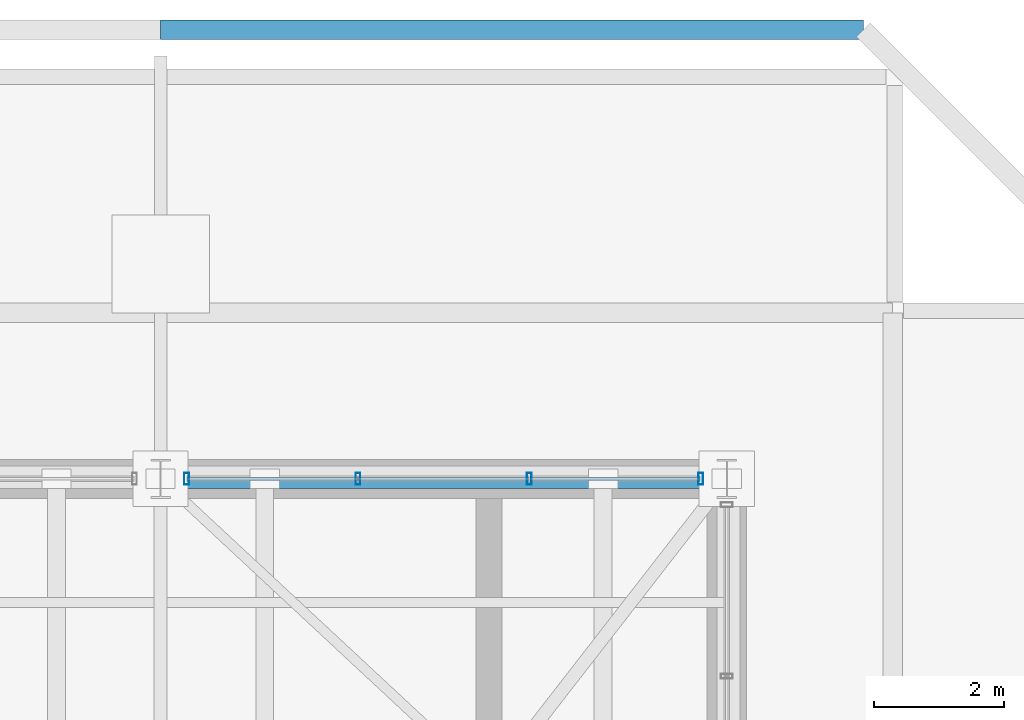
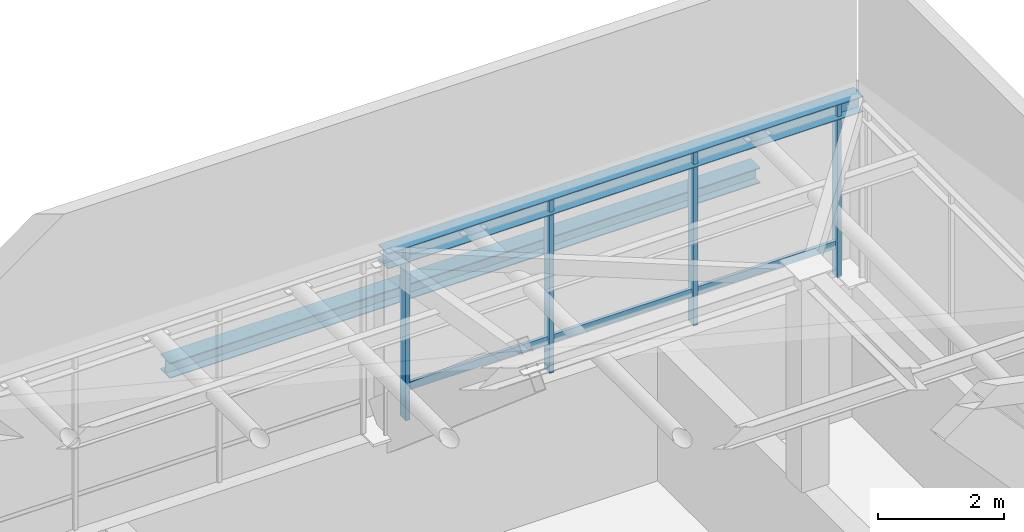
# One storey, part 19 of 22: 7 members, 2 beams, 1 element without a shape of its own.
"""IFC4 building model written with IfcOpenShell, lengths in metres."""

from ifc_helpers import new_model, si_unit, direction, frame, origin, origin_2d, place, context, subcontext, project, spatial, hollow_rectangle, i_section, extrude, material, layer, layer_set, material_profile, profile_set, type_object, element, aggregate, save


model = new_model("IFC4")

# Units and contexts
model_context = context("Model", 3, precision=1e-05, world=origin(), true_north=direction((0.0, 1.0)))
body_context = subcontext(model_context, "Body", "Model", "MODEL_VIEW")
ifc_project = project(units=[si_unit("LENGTHUNIT", "METRE"), si_unit("AREAUNIT", "SQUARE_METRE"), si_unit("VOLUMEUNIT", "CUBIC_METRE"), si_unit("PLANEANGLEUNIT", "RADIAN"), si_unit("MASSUNIT", "GRAM", prefix="KILO")], contexts=[model_context])

# Site, building, storey
site_placement = place(None, origin())
site = spatial("IfcSite", under=ifc_project, at=site_placement, CompositionType="ELEMENT")
building_placement = place(site_placement, origin())
building = spatial("IfcBuilding", under=site, at=building_placement, Name="Belovzor Exchange Tower", CompositionType="ELEMENT")
storey_placement = place(building_placement, frame((0.0, 0.0, 378.60009765625)))
storey = spatial("IfcBuildingStorey", under=building, at=storey_placement, Name="RF", CompositionType="ELEMENT", Elevation=378.60009765625)

# Beams
ifc_material_1 = material(Name="Steel S355", Category="steel")
ifc_material_profile_1 = material_profile(ifc_material_1, i_section(OverallWidth=0.300048828125, OverallDepth=0.300048828125, WebThickness=0.010986328125, FlangeThickness=0.01904296875, at=origin_2d()))
ifc_profile_set_1 = profile_set([ifc_material_profile_1], Name="Steel S355")
beam_type_1 = type_object("IfcBeamType", Name="Crown Plant Primary Beam HEB 300", PredefinedType="BEAM", material=ifc_profile_set_1)
beam_1_placement = place(storey_placement, frame((39.60009765625, 44.39990234375, -0.4501953125), z_axis=(-1.0, 0.0, 0.0), x_axis=(0.0, -1.0, 0.0)))
element("IfcBeam", 1, at=beam_1_placement, inside=storey, type_object=beam_type_1, Name="FG-CR Crown Plant Primary Beam HEB 300", PredefinedType="BEAM", context=body_context, shape_type="SweptSolid", body=[
    extrude(i_section(OverallWidth=0.300048828125, OverallDepth=0.300048828125, WebThickness=0.010986328125, FlangeThickness=0.01904296875, at=origin_2d()), origin(), (0.0, 0.0, 1.0), 10.800048828125),
])
ifc_material_2 = material(Name="Steel S355", Category="steel")
ifc_material_profile_2 = material_profile(ifc_material_2, i_section(OverallWidth=0.300048828125, OverallDepth=0.300048828125, WebThickness=0.008544921875, FlangeThickness=0.013916015625, at=origin_2d()))
ifc_profile_set_2 = profile_set([ifc_material_profile_2], Name="Steel S355")
beam_type_2 = type_object("IfcBeamType", Name="Crown Ring & Trim Beam HEA 300", PredefinedType="BEAM", material=ifc_profile_set_2)
beam_2_placement = place(storey_placement, frame((37.5, 37.5, 5.849853515625), z_axis=(-1.0, 0.0, 0.0), x_axis=(0.0, -1.0, 0.0)))
element("IfcBeam", 2, at=beam_2_placement, inside=storey, type_object=beam_type_2, Name="CB-CR Crown Ring & Trim Beam HEA 300", PredefinedType="BEAM", context=body_context, shape_type="SweptSolid", body=[
    extrude(i_section(OverallWidth=0.300048828125, OverallDepth=0.300048828125, WebThickness=0.008544921875, FlangeThickness=0.013916015625, at=origin_2d()), origin(), (0.0, 0.0, 1.0), 8.699951171875),
])

# Curtain wall, members
ifc_material_3 = material(Name="Anodised Aluminium Framing", Category="aluminium")
ifc_layer = layer(ifc_material_3, 0.169921875)
ifc_layer_set = layer_set([ifc_layer], Name="Anodised Aluminium Framing")
curtain_wall_type = type_object("IfcCurtainWallType", Name="Stepped Crown Faceted Lantern Curtain Wall", PredefinedType="NOTDEFINED", material=ifc_layer_set)
curtain_wall_placement = place(storey_placement, origin())
curtain_wall = element("IfcCurtainWall", 3, at=curtain_wall_placement, inside=storey, type_object=curtain_wall_type, Name="CW6 Stepped Crown Faceted Lantern Curtain Wall RF", PredefinedType="NOTDEFINED")
ifc_material_4 = material(Name="Steel S355", Category="steel")
ifc_material_profile_3 = material_profile(ifc_material_4, hollow_rectangle(XDim=0.074951171875, YDim=0.179931640625, WallThickness=0.0048828125, at=origin_2d()))
ifc_profile_set_3 = profile_set([ifc_material_profile_3], Name="Steel S355")
member_type_1 = type_object("IfcMemberType", Name="Thermally Broken Curtain Wall Mullion 180x75", PredefinedType="MULLION", material=ifc_profile_set_3)
member_1_placement = place(storey_placement, frame((29.199951171875, 37.5, 2.599853515625), z_axis=(0.0, 0.0, 1.0), x_axis=(1.0, 0.0, 0.0)))
member_1 = element("IfcMember", 4, at=member_1_placement, type_object=member_type_1, Name="CW-M180 Curtain Wall Mullion 1", PredefinedType="MULLION", context=body_context, shape_type="SweptSolid", body=[
    extrude(hollow_rectangle(XDim=0.074951171875, YDim=0.179931640625, WallThickness=0.0048828125, at=origin_2d()), origin(), (0.0, 0.0, 1.0), 3.35009765625),
])
member_2_placement = place(storey_placement, frame((31.8330078125, 37.5, 2.599853515625), z_axis=(0.0, 0.0, 1.0), x_axis=(1.0, 0.0, 0.0)))
member_2 = element("IfcMember", 5, at=member_2_placement, type_object=member_type_1, Name="CW-M180 Curtain Wall Mullion 2", PredefinedType="MULLION", context=body_context, shape_type="SweptSolid", body=[
    extrude(hollow_rectangle(XDim=0.074951171875, YDim=0.179931640625, WallThickness=0.0048828125, at=origin_2d()), origin(), (0.0, 0.0, 1.0), 3.35009765625),
])
member_3_placement = place(storey_placement, frame((34.467041015625, 37.5, 2.599853515625), z_axis=(0.0, 0.0, 1.0), x_axis=(1.0, 0.0, 0.0)))
member_3 = element("IfcMember", 6, at=member_3_placement, type_object=member_type_1, Name="CW-M180 Curtain Wall Mullion 3", PredefinedType="MULLION", context=body_context, shape_type="SweptSolid", body=[
    extrude(hollow_rectangle(XDim=0.074951171875, YDim=0.179931640625, WallThickness=0.0048828125, at=origin_2d()), origin(), (0.0, 0.0, 1.0), 3.35009765625),
])
member_4_placement = place(storey_placement, frame((37.10009765625, 37.5, 2.599853515625), z_axis=(0.0, 0.0, 1.0), x_axis=(1.0, 0.0, 0.0)))
member_4 = element("IfcMember", 7, at=member_4_placement, type_object=member_type_1, Name="CW-M180 Curtain Wall Mullion 4", PredefinedType="MULLION", context=body_context, shape_type="SweptSolid", body=[
    extrude(hollow_rectangle(XDim=0.074951171875, YDim=0.179931640625, WallThickness=0.0048828125, at=origin_2d()), origin(), (0.0, 0.0, 1.0), 3.35009765625),
])
ifc_material_5 = material(Name="Steel S355", Category="steel")
ifc_material_profile_4 = material_profile(ifc_material_5, hollow_rectangle(XDim=0.06005859375, YDim=0.14990234375, WallThickness=0.00390625, at=origin_2d()))
ifc_profile_set_4 = profile_set([ifc_material_profile_4], Name="Steel S355")
member_type_2 = type_object("IfcMemberType", Name="Thermally Broken Curtain Wall Transom 150x60", PredefinedType="USERDEFINED", material=ifc_profile_set_4)
member_5_placement = place(storey_placement, frame((29.2080078125, 37.5, 3.202880859375), z_axis=(1.0, 0.0, 0.0), x_axis=(0.0, 1.0, 0.0)))
member_5 = element("IfcMember", 8, at=member_5_placement, type_object=member_type_2, Name="CW-T150 Curtain Wall Transom 1", ObjectType="TRANSOM", PredefinedType="USERDEFINED", context=body_context, shape_type="SweptSolid", body=[
    extrude(hollow_rectangle(XDim=0.06005859375, YDim=0.14990234375, WallThickness=0.00390625, at=origin_2d()), origin(), (0.0, 0.0, 1.0), 2.616943359375),
])
member_6_placement = place(storey_placement, frame((31.841064453125, 37.5, 3.202880859375), z_axis=(1.0, 0.0, 0.0), x_axis=(0.0, 1.0, 0.0)))
member_6 = element("IfcMember", 9, at=member_6_placement, type_object=member_type_2, Name="CW-T150 Curtain Wall Transom 2", ObjectType="TRANSOM", PredefinedType="USERDEFINED", context=body_context, shape_type="SweptSolid", body=[
    extrude(hollow_rectangle(XDim=0.06005859375, YDim=0.14990234375, WallThickness=0.00390625, at=origin_2d()), origin(), (0.0, 0.0, 1.0), 2.617919921875),
])
member_7_placement = place(storey_placement, frame((34.47509765625, 37.5, 3.202880859375), z_axis=(1.0, 0.0, 0.0), x_axis=(0.0, 1.0, 0.0)))
member_7 = element("IfcMember", 10, at=member_7_placement, type_object=member_type_2, Name="CW-T150 Curtain Wall Transom 3", ObjectType="TRANSOM", PredefinedType="USERDEFINED", context=body_context, shape_type="SweptSolid", body=[
    extrude(hollow_rectangle(XDim=0.06005859375, YDim=0.14990234375, WallThickness=0.00390625, at=origin_2d()), origin(), (0.0, 0.0, 1.0), 2.616943359375),
])
aggregate(curtain_wall, [member_1, member_2, member_3, member_4, member_5, member_6, member_7])

save(model, "model.ifc")
